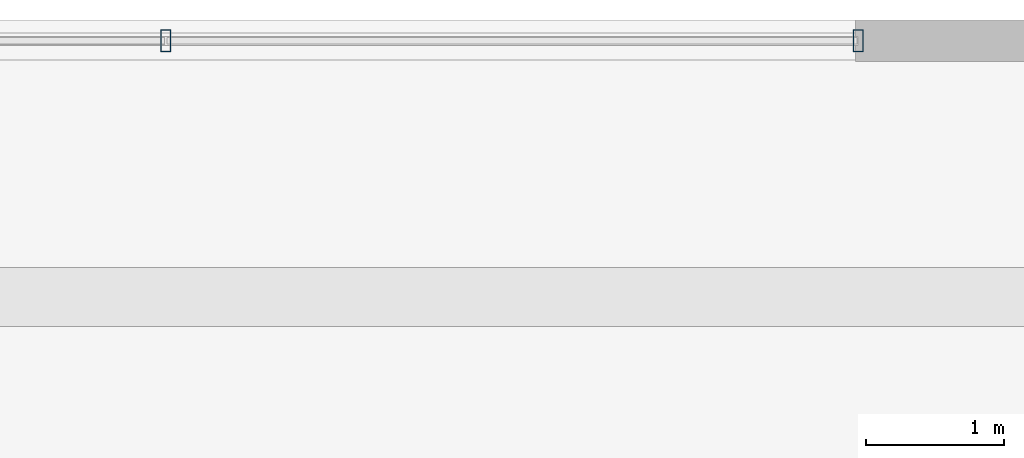
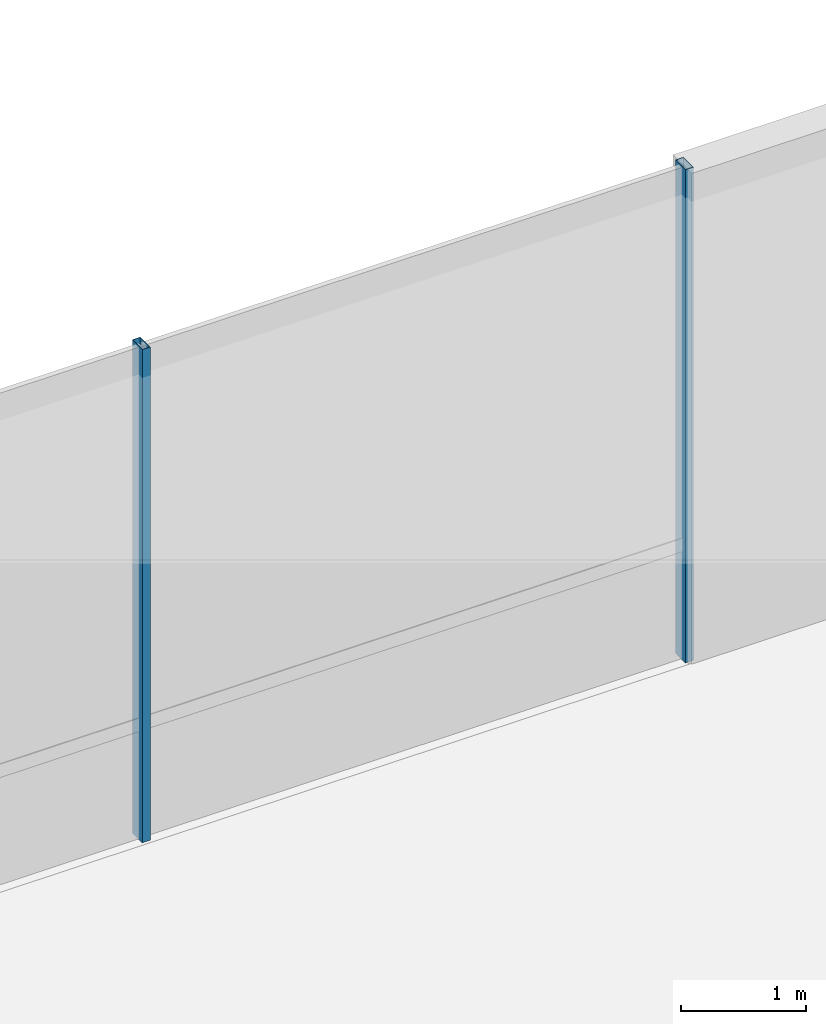
# One storey, part 18 of 39: 2 members, 1 element without a shape of its own.
"""IFC4 building model written with IfcOpenShell, lengths in metres."""

import ifcopenshell
import ifcopenshell.guid

model = None  # the IFC model being written
_history = None  # IfcOwnerHistory: only IFC2X3 demands one
_inside = {}  # id of a spatial element -> (the spatial element, [elements in it])
_under = {}  # id of a project, library or spatial element -> (it, [spatial elements below it])
_declared = {}  # id of a project -> (the project, [libraries it declares])
_typed = {}  # id of a type object -> (the type object, [elements of that type])
_made_of = {}  # id of a material, layer set ... -> (it, [elements and type objects made of it])


def new_model(schema):
    """Start an empty IFC model of exactly this schema.

    Asked for "IFC4X3", IfcOpenShell would pick the latest addendum, in which some entities
    have other attributes; the version numbers below select the first issue.
    IFC2X3 requires an IfcOwnerHistory on every rooted entity: one is made here for all.
    """
    global model, _history
    if schema == "IFC4X3":
        model = ifcopenshell.file(schema_version=(4, 3, 0, 0))
    else:
        model = ifcopenshell.file(schema=schema)
    _inside.clear()
    _under.clear()
    _declared.clear()
    _typed.clear()
    _made_of.clear()
    _history = None
    if model.schema == "IFC2X3":
        org = make("IfcOrganization", Name="unknown")
        user = make(
            "IfcPersonAndOrganization",
            ThePerson=make("IfcPerson", FamilyName="unknown"),
            TheOrganization=org,
        )
        app = make(
            "IfcApplication",
            ApplicationDeveloper=org,
            Version="unknown",
            ApplicationFullName="unknown",
            ApplicationIdentifier="unknown",
        )
        _history = make(
            "IfcOwnerHistory",
            OwningUser=user,
            OwningApplication=app,
            ChangeAction="ADDED",
            CreationDate=0,
        )
    return model


def make(cls, **values):
    """One entity of the class cls with the attributes given. An attribute that is None is left unset."""
    return model.create_entity(
        cls, **{name: value for name, value in values.items() if value is not None}
    )


def rooted(cls, **values):
    """An entity with a GlobalId (a new one), such as an element, a storey or a relation."""
    return make(cls, GlobalId=ifcopenshell.guid.new(), OwnerHistory=_history, **values)


def si_unit(unit_type, name, prefix=None):
    """IfcSIUnit, for example si_unit("LENGTHUNIT", "METRE", prefix="MILLI")."""
    return make("IfcSIUnit", UnitType=unit_type, Prefix=prefix, Name=name)


def assignment(units):
    """IfcUnitAssignment: the units of a project."""
    return None if units is None else make("IfcUnitAssignment", Units=units)


def point(xyz):
    """IfcCartesianPoint."""
    return None if xyz is None else make("IfcCartesianPoint", Coordinates=xyz)


def direction(xyz):
    """IfcDirection."""
    return None if xyz is None else make("IfcDirection", DirectionRatios=xyz)


def frame(location, z_axis=None, x_axis=None):
    """IfcAxis2Placement3D, a coordinate frame: its origin and axes. An axis left out is left unset."""
    return make(
        "IfcAxis2Placement3D",
        Location=point(location),
        Axis=direction(z_axis),
        RefDirection=direction(x_axis),
    )


def frame_2d(location, x_axis=None):
    """IfcAxis2Placement2D, a coordinate frame in the plane: its origin and x axis."""
    return make(
        "IfcAxis2Placement2D", Location=point(location), RefDirection=direction(x_axis)
    )


def origin():
    """The frame at (0, 0, 0) with its axes left unset."""
    return frame((0.0, 0.0, 0.0))


def origin_2d():
    """The frame at (0, 0) in the plane with its x axis left unset."""
    return frame_2d((0.0, 0.0))


def place(relative_to, where):
    """IfcLocalPlacement: puts the frame where relative to a parent placement (None: the world)."""
    return make(
        "IfcLocalPlacement", PlacementRelTo=relative_to, RelativePlacement=where
    )


def context(
    kind, dimensions, precision=None, world=None, true_north=None, identifier=None
):
    """IfcGeometricRepresentationContext, for example the 3D "Model" context."""
    return make(
        "IfcGeometricRepresentationContext",
        ContextIdentifier=identifier,
        ContextType=kind,
        CoordinateSpaceDimension=dimensions,
        Precision=precision,
        WorldCoordinateSystem=world,
        TrueNorth=true_north,
    )


def subcontext(parent, identifier, kind, view, scale=None):
    """IfcGeometricRepresentationSubContext, for example "Body" below "Model"."""
    return make(
        "IfcGeometricRepresentationSubContext",
        ContextIdentifier=identifier,
        ContextType=kind,
        ParentContext=parent,
        TargetScale=scale,
        TargetView=view,
    )


def project(units=None, contexts=None):
    """IfcProject with its units and contexts."""
    return rooted(
        "IfcProject",
        Name="project",
        RepresentationContexts=contexts,
        UnitsInContext=assignment(units),
    )


def spatial(cls, under=None, at=None, **own):
    """A site, building, storey or space (cls), placed at a placement, below another one or the project."""
    s = rooted(cls, ObjectPlacement=at, **own)
    if under is not None:
        _under.setdefault(under.id(), (under, []))[1].append(s)
    return s


def profile(cls, at=None, kind="AREA", **sizes):
    """A parametric profile (cls). Its sizes go by their IFC names, for example OverallWidth=200.0."""
    return make(cls, ProfileType=kind, Position=at, **sizes)


def hollow_rectangle(**sizes):
    """IfcRectangleHollowProfileDef."""
    return profile("IfcRectangleHollowProfileDef", **sizes)


def extrude(swept, where, along, depth):
    """IfcExtrudedAreaSolid: the profile swept, set in the frame where, extruded along a direction by depth."""
    return make(
        "IfcExtrudedAreaSolid",
        SweptArea=swept,
        Position=where,
        ExtrudedDirection=direction(along),
        Depth=depth,
    )


def shape(context_of_items, identifier, shape_type, items):
    """IfcShapeRepresentation: the items that make up one representation, for example the "Body"."""
    return make(
        "IfcShapeRepresentation",
        ContextOfItems=context_of_items,
        RepresentationIdentifier=identifier,
        RepresentationType=shape_type,
        Items=items,
    )


def source(mapping_origin, context_of_items, identifier, shape_type, items):
    """IfcRepresentationMap: a shape defined once, which mapped items show again and again."""
    return make(
        "IfcRepresentationMap",
        MappingOrigin=mapping_origin,
        MappedRepresentation=shape(context_of_items, identifier, shape_type, items),
    )


def transform(
    local_origin,
    x_axis=None,
    y_axis=None,
    z_axis=None,
    scale=None,
    scale2=None,
    scale3=None,
    uniform=True,
):
    """IfcCartesianTransformationOperator3D, or its non-uniform kind. x_axis, y_axis, z_axis: its Axis1, 2, 3."""
    if uniform:
        return make(
            "IfcCartesianTransformationOperator3D",
            Axis1=direction(x_axis),
            Axis2=direction(y_axis),
            LocalOrigin=point(local_origin),
            Scale=scale,
            Axis3=direction(z_axis),
        )
    return make(
        "IfcCartesianTransformationOperator3DnonUniform",
        Axis1=direction(x_axis),
        Axis2=direction(y_axis),
        LocalOrigin=point(local_origin),
        Scale=scale,
        Axis3=direction(z_axis),
        Scale2=scale2,
        Scale3=scale3,
    )


def mapped(mapping_source, mapping_target):
    """IfcMappedItem: shows the shape of a source again, moved by a transform."""
    return make(
        "IfcMappedItem", MappingSource=mapping_source, MappingTarget=mapping_target
    )


def material(Name=None, Category=None):
    """IfcMaterial."""
    return make("IfcMaterial", Name=Name, Category=Category)


def material_profile(
    of_material, cross_section, Name=None, Category=None, Priority=None
):
    """IfcMaterialProfile: a cross section and its material."""
    return make(
        "IfcMaterialProfile",
        Name=Name,
        Material=of_material,
        Profile=cross_section,
        Priority=Priority,
        Category=Category,
    )


def profile_set(profiles, Name=None, composite=None):
    """IfcMaterialProfileSet."""
    return make(
        "IfcMaterialProfileSet",
        Name=Name,
        MaterialProfiles=profiles,
        CompositeProfile=composite,
    )


def made_of(thing, what):
    """Note that an element or type object is made of a material, layer set ...; save() writes the relation."""
    if what is not None:
        _made_of.setdefault(what.id(), (what, []))[1].append(thing)
    return thing


def type_object(cls, material=None, **own):
    """A type object (cls), such as IfcWallType, which elements share."""
    return made_of(rooted(cls, **own), material)


def element(
    cls,
    number,
    at=None,
    inside=None,
    cuts=None,
    type_object=None,
    material=None,
    context=None,
    identifier="Body",
    shape_type=None,
    held_by="IfcProductDefinitionShape",
    body=None,
    shapes=None,
    **own,
):
    """One element of the class cls, such as IfcWall. Its Tag is "e" and its number.

    at: its placement. inside: the storey or other place that contains it. cuts: it is an
    opening in that element (IfcRelVoidsElement). A single representation is given by context,
    identifier, shape_type and body (its items); several are given by shapes. held_by: the class
    of the entity that holds the representations. save() writes the other relations.
    """
    e = rooted(cls, Tag="e%d" % number, ObjectPlacement=at, **own)
    if body is not None:
        shapes = [shape(context, identifier, shape_type, body)]
    if shapes is not None:
        e.Representation = make(held_by, Representations=shapes)
    if inside is not None:
        _inside.setdefault(inside.id(), (inside, []))[1].append(e)
    if cuts is not None:
        rooted(
            "IfcRelVoidsElement", RelatingBuildingElement=cuts, RelatedOpeningElement=e
        )
    if type_object is not None:
        _typed.setdefault(type_object.id(), (type_object, []))[1].append(e)
    return made_of(e, material)


def aggregate(whole, parts):
    """IfcRelAggregates: a whole, such as a stair, and the parts it consists of."""
    return rooted("IfcRelAggregates", RelatingObject=whole, RelatedObjects=parts)


def save(model, path):
    """Write the relations noted so far, then the file.

    IfcRelAggregates (storeys below a building ...), IfcRelContainedInSpatialStructure (elements
    in a storey), IfcRelDefinesByType, IfcRelAssociatesMaterial and IfcRelDeclares: one each for
    every whole, place, type object, material and project.
    """
    for whole, parts in _under.values():
        aggregate(whole, parts)
    for where, things in _inside.values():
        rooted(
            "IfcRelContainedInSpatialStructure",
            RelatedElements=things,
            RelatingStructure=where,
        )
    for kind, things in _typed.values():
        rooted("IfcRelDefinesByType", RelatedObjects=things, RelatingType=kind)
    for what, things in _made_of.values():
        rooted("IfcRelAssociatesMaterial", RelatedObjects=things, RelatingMaterial=what)
    for by, libraries in _declared.values():
        rooted("IfcRelDeclares", RelatingContext=by, RelatedDefinitions=libraries)
    model.write(path)


model = new_model("IFC4")

# Units and contexts
model_context = context("Model", 3, precision=1e-05, world=origin(), true_north=direction((0.0, 1.0)))
body_context = subcontext(model_context, "Body", "Model", "MODEL_VIEW")
ifc_project = project(units=[si_unit("LENGTHUNIT", "METRE"), si_unit("AREAUNIT", "SQUARE_METRE"), si_unit("VOLUMEUNIT", "CUBIC_METRE"), si_unit("PLANEANGLEUNIT", "RADIAN"), si_unit("MASSUNIT", "GRAM", prefix="KILO")], contexts=[model_context])

# Site, building, storey
site_placement = place(None, origin())
site = spatial("IfcSite", under=ifc_project, at=site_placement, CompositionType="ELEMENT")
building_placement = place(site_placement, origin())
building = spatial("IfcBuilding", under=site, at=building_placement, Name="Valdorenza Pilgrim Sanctuary Tower", CompositionType="ELEMENT")
storey_placement = place(building_placement, frame((0.0, 0.0, 15.60009765625)))
storey = spatial("IfcBuildingStorey", under=building, at=storey_placement, Name="L03", CompositionType="ELEMENT", Elevation=15.60009765625)

# Curtain wall, members
ifc_material_1 = material(Name="Curtain-wall IGU glazing", Category="glass")
curtain_wall_type = type_object("IfcCurtainWallType", Name="CW-SYS-01", PredefinedType="NOTDEFINED", material=ifc_material_1)
curtain_wall_placement = place(storey_placement, origin())
curtain_wall = element("IfcCurtainWall", 1, at=curtain_wall_placement, inside=storey, type_object=curtain_wall_type, Name="L03 Curtain Wall CW-POD-L03-NN", PredefinedType="NOTDEFINED")
ifc_material_2 = material(Name="Anodised aluminium AW-6060", Category="aluminium")
ifc_material_profile = material_profile(ifc_material_2, hollow_rectangle(XDim=0.074951171875, YDim=0.159912109375, WallThickness=0.00390625, at=origin_2d()), Name="ALU-M 160x75x4")
ifc_profile_set = profile_set([ifc_material_profile], Name="Anodised aluminium AW-6060")
member_type = type_object("IfcMemberType", Name="CW-MUL-01", PredefinedType="MULLION", material=ifc_profile_set)
shared_shape = source(origin(), body_context, "Body", "SweptSolid", [
    extrude(hollow_rectangle(XDim=0.074951171875, YDim=0.159912109375, WallThickness=0.00390625, at=origin_2d()), origin(), (0.0, 0.0, 1.0), 4.7998046875),
])
member_1_placement = place(storey_placement, frame((5.0, 22.85009765625, 0.0), z_axis=(0.0, 0.0, 1.0), x_axis=(1.0, 0.0, 0.0)))
member_1 = element("IfcMember", 2, at=member_1_placement, type_object=member_type, Name="CW-POD-L03-NN Mullion 4", PredefinedType="MULLION", context=body_context, shape_type="MappedRepresentation", body=[
    mapped(shared_shape, transform((0.0, 0.0, 0.0), x_axis=(1.0, 0.0, 0.0), y_axis=(0.0, 1.0, 0.0), z_axis=(0.0, 0.0, 1.0), scale=1.0)),
])
member_2_placement = place(storey_placement, frame((10.0, 22.85009765625, 0.0), z_axis=(0.0, 0.0, 1.0), x_axis=(1.0, 0.0, 0.0)))
member_2 = element("IfcMember", 3, at=member_2_placement, type_object=member_type, Name="CW-POD-L03-NN Mullion 5", PredefinedType="MULLION", context=body_context, shape_type="MappedRepresentation", body=[
    mapped(shared_shape, transform((0.0, 0.0, 0.0), x_axis=(1.0, 0.0, 0.0), y_axis=(0.0, 1.0, 0.0), z_axis=(0.0, 0.0, 1.0), scale=1.0)),
])
aggregate(curtain_wall, [member_1, member_2])

save(model, "model.ifc")
